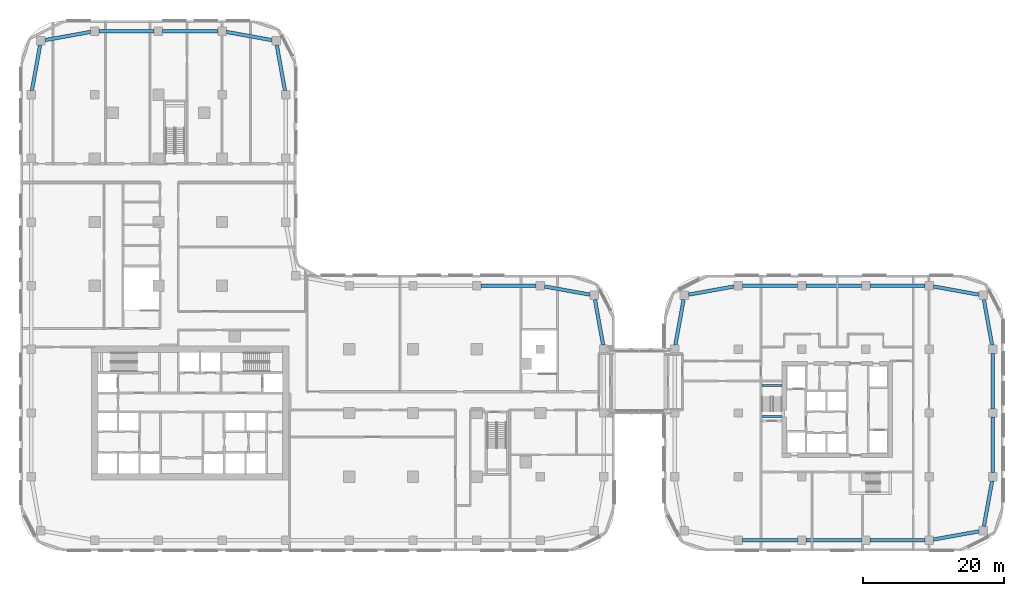
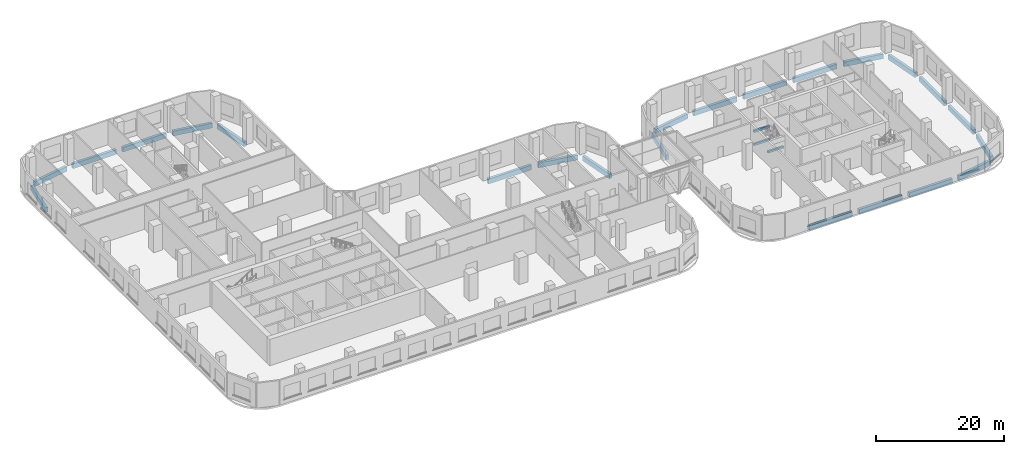
# One storey, part 3 of 33: 26 beams.
"""IFC4 building model written with IfcOpenShell, lengths in metres."""

from ifc_helpers import new_model, si_unit, direction, frame, origin, origin_2d, place, context, subcontext, project, spatial, rectangle, extrude, material, material_profile, profile_set, type_object, element, save


model = new_model("IFC4")

# Units and contexts
model_context = context("Model", 3, precision=1e-05, world=origin(), true_north=direction((0.0, 1.0)))
body_context = subcontext(model_context, "Body", "Model", "MODEL_VIEW")
ifc_project = project(units=[si_unit("LENGTHUNIT", "METRE"), si_unit("AREAUNIT", "SQUARE_METRE"), si_unit("VOLUMEUNIT", "CUBIC_METRE"), si_unit("PLANEANGLEUNIT", "RADIAN"), si_unit("MASSUNIT", "GRAM", prefix="KILO")], contexts=[model_context])

# Site, building, storey
site_placement = place(None, origin())
site = spatial("IfcSite", under=ifc_project, at=site_placement, CompositionType="ELEMENT")
building_placement = place(site_placement, origin())
building = spatial("IfcBuilding", under=site, at=building_placement, Name="Ogive Portal Towers", CompositionType="ELEMENT")
storey_placement = place(building_placement, frame((0.0, 0.0, 28.5)))
storey = spatial("IfcBuildingStorey", under=building, at=storey_placement, Name="L05", CompositionType="ELEMENT", Elevation=28.5)

# Beams
ifc_material_1 = material(Name="Concrete C40/50", Category="concrete")
ifc_material_profile_1 = material_profile(ifc_material_1, rectangle(XDim=0.300048828125, YDim=0.39990234375, at=origin_2d()), Name="RC 300x400")
ifc_profile_set_1 = profile_set([ifc_material_profile_1], Name="Concrete C40/50")
beam_type_1 = type_object("IfcBeamType", Name="BEAM RC 300x400", PredefinedType="BEAM", material=ifc_profile_set_1)
for number, where, z_axis, x_axis, name in (
    (1, (125.85009765625, 34.39990234375, 0.85009765625), (1.0, 0.0, 0.0), (0.0, 1.0, 0.0), "Landing beam L05"),
    (2, (125.85009765625, 30.0, 2.10009765625), (1.0, 0.0, 0.0), (0.0, 1.0, 0.0), "Landing beam L05"),
    (3, (125.85009765625, 34.39990234375, 3.35009765625), (1.0, 0.0, 0.0), (0.0, 1.0, 0.0), "Landing beam L05"),
):
    element("IfcBeam", number, at=place(storey_placement, frame(where, z_axis=z_axis, x_axis=x_axis)), inside=storey, type_object=beam_type_1, Name=name, PredefinedType="BEAM", context=body_context, shape_type="SweptSolid", body=[
        extrude(rectangle(XDim=0.300048828125, YDim=0.39990234375, at=origin_2d()), origin(), (0.0, 0.0, 1.0), 2.849853515625),
    ])
ifc_material_2 = material(Name="Concrete C50/60", Category="concrete")
ifc_material_profile_2 = material_profile(ifc_material_2, rectangle(XDim=0.5, YDim=0.89990234375, at=origin_2d()), Name="RC 500x900")
ifc_profile_set_2 = profile_set([ifc_material_profile_2], Name="Concrete C50/60")
beam_type_2 = type_object("IfcBeamType", Name="PODIUM GIRDER RC 500x900", PredefinedType="BEAM", material=ifc_profile_set_2)
for number, where, z_axis, x_axis, name in (
    (4, (103.392333984375, 40.10009765625, -0.75), (-0.176730903032, 0.984259207685, 0.0), (-0.984259207685, -0.176730903032, 0.0), "Spandrel beam L05"),
    (5, (101.530029296875, 47.23779296875, -0.75), (-0.984259207685, 0.176730903032, 0.0), (-0.176730903032, -0.984259207685, 0.0), "Spandrel beam L05"),
):
    element("IfcBeam", number, at=place(storey_placement, frame(where, z_axis=z_axis, x_axis=x_axis)), inside=storey, type_object=beam_type_2, Name=name, PredefinedType="BEAM", context=body_context, shape_type="SweptSolid", body=[
        extrude(rectangle(XDim=0.5, YDim=0.89990234375, at=origin_2d()), origin(), (0.0, 0.0, 1.0), 6.53271484375),
    ])
beam_placement = place(storey_placement, frame((93.89990234375, 48.5, -0.75), z_axis=(-1.0, 0.0, 0.0), x_axis=(0.0, -1.0, 0.0)))
element("IfcBeam", 6, at=beam_placement, inside=storey, type_object=beam_type_2, Name="Spandrel beam L05", PredefinedType="BEAM", context=body_context, shape_type="SweptSolid", body=[
    extrude(rectangle(XDim=0.5, YDim=0.89990234375, at=origin_2d()), origin(), (0.0, 0.0, 1.0), 7.7998046875),
])
for number, where, z_axis, x_axis, name in (
    (7, (58.392333984375, 76.10009765625, -0.75), (-0.176730903032, 0.984259207685, 0.0), (-0.984259207685, -0.176730903032, 0.0), "Spandrel beam L05"),
    (8, (56.530029296875, 83.23779296875, -0.75), (-0.984259207685, 0.176730903032, 0.0), (-0.176730903032, -0.984259207685, 0.0), "Spandrel beam L05"),
):
    element("IfcBeam", number, at=place(storey_placement, frame(where, z_axis=z_axis, x_axis=x_axis)), inside=storey, type_object=beam_type_2, Name=name, PredefinedType="BEAM", context=body_context, shape_type="SweptSolid", body=[
        extrude(rectangle(XDim=0.5, YDim=0.89990234375, at=origin_2d()), origin(), (0.0, 0.0, 1.0), 6.53271484375),
    ])
for number, where, z_axis, x_axis, name in (
    (9, (48.89990234375, 84.5, -0.75), (-1.0, 0.0, 0.0), (0.0, -1.0, 0.0), "Spandrel beam L05"),
    (10, (39.89990234375, 84.5, -0.75), (-1.0, 0.0, 0.0), (0.0, -1.0, 0.0), "Spandrel beam L05"),
):
    element("IfcBeam", number, at=place(storey_placement, frame(where, z_axis=z_axis, x_axis=x_axis)), inside=storey, type_object=beam_type_2, Name=name, PredefinedType="BEAM", context=body_context, shape_type="SweptSolid", body=[
        extrude(rectangle(XDim=0.5, YDim=0.89990234375, at=origin_2d()), origin(), (0.0, 0.0, 1.0), 7.7998046875),
    ])
for number, where, z_axis, x_axis, name in (
    (11, (30.89990234375, 84.392333984375, -0.75), (-0.984259207685, -0.176730903032, 0.0), (0.176730903032, -0.984259207685, 0.0), "Spandrel beam L05"),
    (12, (23.76220703125, 82.530029296875, -0.75), (-0.176730903032, -0.984259207685, 0.0), (0.984259207685, -0.176730903032, 0.0), "Spandrel beam L05"),
):
    element("IfcBeam", number, at=place(storey_placement, frame(where, z_axis=z_axis, x_axis=x_axis)), inside=storey, type_object=beam_type_2, Name=name, PredefinedType="BEAM", context=body_context, shape_type="SweptSolid", body=[
        extrude(rectangle(XDim=0.5, YDim=0.89990234375, at=origin_2d()), origin(), (0.0, 0.0, 1.0), 6.53271484375),
    ])
for number, where, z_axis, x_axis, name in (
    (13, (123.10009765625, 12.5, -0.75), (1.0, 0.0, 0.0), (0.0, 1.0, 0.0), "Spandrel beam L05"),
    (14, (132.10009765625, 12.5, -0.75), (1.0, 0.0, 0.0), (0.0, 1.0, 0.0), "Spandrel beam L05"),
    (15, (141.10009765625, 12.5, -0.75), (1.0, 0.0, 0.0), (0.0, 1.0, 0.0), "Spandrel beam L05"),
):
    element("IfcBeam", number, at=place(storey_placement, frame(where, z_axis=z_axis, x_axis=x_axis)), inside=storey, type_object=beam_type_2, Name=name, PredefinedType="BEAM", context=body_context, shape_type="SweptSolid", body=[
        extrude(rectangle(XDim=0.5, YDim=0.89990234375, at=origin_2d()), origin(), (0.0, 0.0, 1.0), 7.7998046875),
    ])
for number, where, z_axis, x_axis, name in (
    (16, (150.10009765625, 12.607666015625, -0.75), (0.984259207685, 0.176730903032, 0.0), (-0.176730903032, 0.984259207685, 0.0), "Spandrel beam L05"),
    (17, (157.23779296875, 14.469970703125, -0.75), (0.176730903032, 0.984259207685, 0.0), (-0.984259207685, 0.176730903032, 0.0), "Spandrel beam L05"),
):
    element("IfcBeam", number, at=place(storey_placement, frame(where, z_axis=z_axis, x_axis=x_axis)), inside=storey, type_object=beam_type_2, Name=name, PredefinedType="BEAM", context=body_context, shape_type="SweptSolid", body=[
        extrude(rectangle(XDim=0.5, YDim=0.89990234375, at=origin_2d()), origin(), (0.0, 0.0, 1.0), 6.53271484375),
    ])
for number, where, z_axis, x_axis, name in (
    (18, (158.5, 22.10009765625, -0.75), (0.0, 1.0, 0.0), (-1.0, 0.0, 0.0), "Spandrel beam L05"),
    (19, (158.5, 31.10009765625, -0.75), (0.0, 1.0, 0.0), (-1.0, 0.0, 0.0), "Spandrel beam L05"),
):
    element("IfcBeam", number, at=place(storey_placement, frame(where, z_axis=z_axis, x_axis=x_axis)), inside=storey, type_object=beam_type_2, Name=name, PredefinedType="BEAM", context=body_context, shape_type="SweptSolid", body=[
        extrude(rectangle(XDim=0.5, YDim=0.89990234375, at=origin_2d()), origin(), (0.0, 0.0, 1.0), 7.7998046875),
    ])
for number, where, z_axis, x_axis, name in (
    (20, (158.392333984375, 40.10009765625, -0.75), (-0.176730903032, 0.984259207685, 0.0), (-0.984259207685, -0.176730903032, 0.0), "Spandrel beam L05"),
    (21, (156.530029296875, 47.23779296875, -0.75), (-0.984259207685, 0.176730903032, 0.0), (-0.176730903032, -0.984259207685, 0.0), "Spandrel beam L05"),
):
    element("IfcBeam", number, at=place(storey_placement, frame(where, z_axis=z_axis, x_axis=x_axis)), inside=storey, type_object=beam_type_2, Name=name, PredefinedType="BEAM", context=body_context, shape_type="SweptSolid", body=[
        extrude(rectangle(XDim=0.5, YDim=0.89990234375, at=origin_2d()), origin(), (0.0, 0.0, 1.0), 6.53271484375),
    ])
for number, where, z_axis, x_axis, name in (
    (22, (148.89990234375, 48.5, -0.75), (-1.0, 0.0, 0.0), (0.0, -1.0, 0.0), "Spandrel beam L05"),
    (23, (139.89990234375, 48.5, -0.75), (-1.0, 0.0, 0.0), (0.0, -1.0, 0.0), "Spandrel beam L05"),
    (24, (130.89990234375, 48.5, -0.75), (-1.0, 0.0, 0.0), (0.0, -1.0, 0.0), "Spandrel beam L05"),
):
    element("IfcBeam", number, at=place(storey_placement, frame(where, z_axis=z_axis, x_axis=x_axis)), inside=storey, type_object=beam_type_2, Name=name, PredefinedType="BEAM", context=body_context, shape_type="SweptSolid", body=[
        extrude(rectangle(XDim=0.5, YDim=0.89990234375, at=origin_2d()), origin(), (0.0, 0.0, 1.0), 7.7998046875),
    ])
for number, where, z_axis, x_axis, name in (
    (25, (121.89990234375, 48.392333984375, -0.75), (-0.984259207685, -0.176730903032, 0.0), (0.176730903032, -0.984259207685, 0.0), "Spandrel beam L05"),
    (26, (114.76220703125, 46.530029296875, -0.75), (-0.176730903032, -0.984259207685, 0.0), (0.984259207685, -0.176730903032, 0.0), "Spandrel beam L05"),
):
    element("IfcBeam", number, at=place(storey_placement, frame(where, z_axis=z_axis, x_axis=x_axis)), inside=storey, type_object=beam_type_2, Name=name, PredefinedType="BEAM", context=body_context, shape_type="SweptSolid", body=[
        extrude(rectangle(XDim=0.5, YDim=0.89990234375, at=origin_2d()), origin(), (0.0, 0.0, 1.0), 6.53271484375),
    ])

save(model, "model.ifc")
